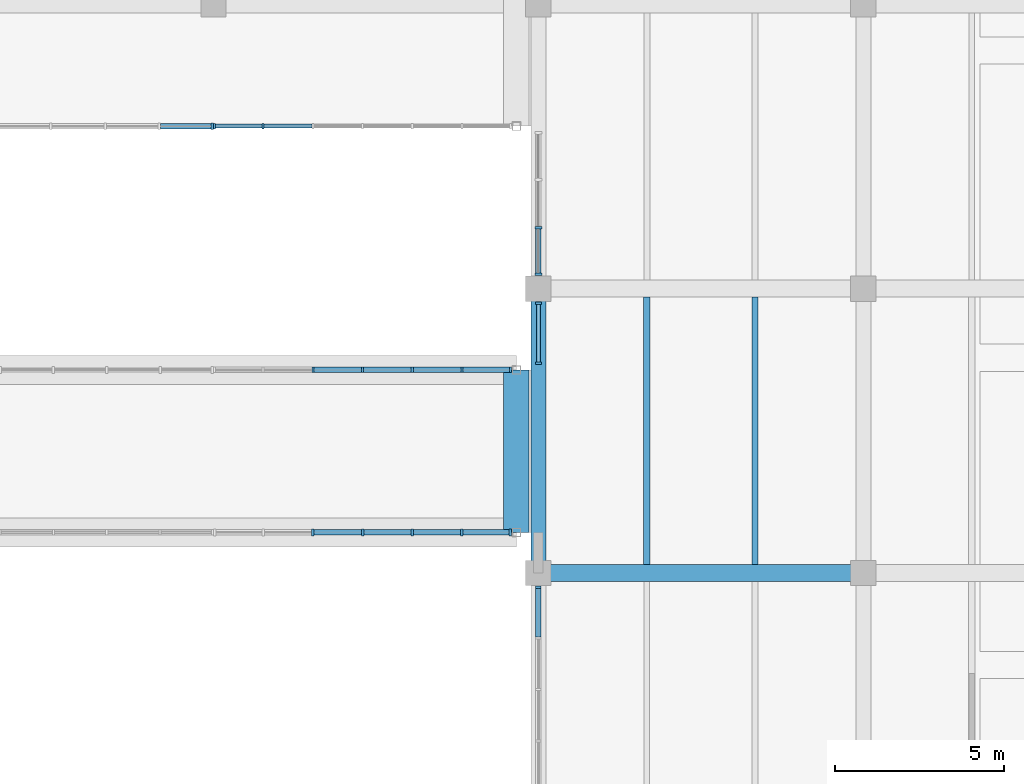
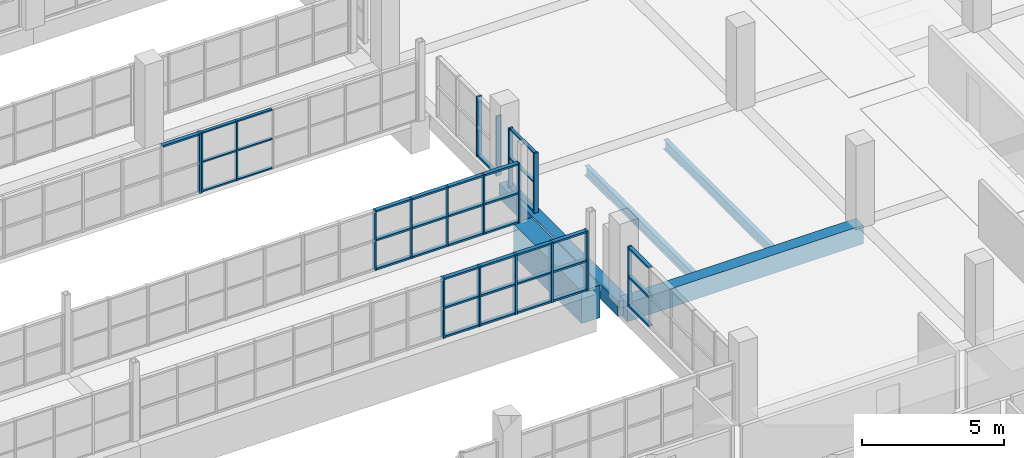
# One storey, part 64 of 147: 56 members, 5 beams, 7 elements without a shape of their own.
"""IFC4 building model written with IfcOpenShell, lengths in metres."""

from ifc_helpers import new_model, si_unit, direction, frame, origin, origin_2d, place, context, subcontext, project, spatial, rectangle, i_section, extrude, material, material_profile, profile_set, type_object, element, aggregate, save


model = new_model("IFC4")

# Units and contexts
model_context = context("Model", 3, precision=1e-05, world=origin(), true_north=direction((0.0, 1.0)))
body_context = subcontext(model_context, "Body", "Model", "MODEL_VIEW")
ifc_project = project(units=[si_unit("LENGTHUNIT", "METRE"), si_unit("AREAUNIT", "SQUARE_METRE"), si_unit("VOLUMEUNIT", "CUBIC_METRE"), si_unit("PLANEANGLEUNIT", "RADIAN"), si_unit("MASSUNIT", "GRAM", prefix="KILO")], contexts=[model_context])

# Site, building, storey
site_placement = place(None, origin())
site = spatial("IfcSite", under=ifc_project, at=site_placement, CompositionType="ELEMENT")
building_placement = place(site_placement, origin())
building = spatial("IfcBuilding", under=site, at=building_placement, Name="Oolite Switchyard Hospital", CompositionType="ELEMENT")
storey_placement = place(building_placement, frame((0.0, 0.0, 9.89990234375)))
storey = spatial("IfcBuildingStorey", under=building, at=storey_placement, Name="L02", CompositionType="ELEMENT", Elevation=9.89990234375)

# Beams
ifc_material_1 = material(Name="Concrete C40/50", Category="concrete")
ifc_material_profile_1 = material_profile(ifc_material_1, rectangle(XDim=0.449951171875, YDim=0.64990234375, at=origin_2d()), Name="RCB450X650")
ifc_profile_set_1 = profile_set([ifc_material_profile_1], Name="Concrete C40/50")
beam_type_1 = type_object("IfcBeamType", Name="BM-RC450X650", PredefinedType="BEAM", material=ifc_profile_set_1)
beam_1_placement = place(storey_placement, frame((182.39990234375, 33.60009765625, -0.324951171875), z_axis=(0.0, 1.0, 0.0), x_axis=(-1.0, 0.0, 0.0)))
element("IfcBeam", 1, at=beam_1_placement, inside=storey, type_object=beam_type_1, Name="L02 Y-Girder 1470", PredefinedType="BEAM", context=body_context, shape_type="SweptSolid", body=[
    extrude(rectangle(XDim=0.449951171875, YDim=0.64990234375, at=origin_2d()), origin(), (0.0, 0.0, 1.0), 8.39990234375),
])
ifc_material_profile_2 = material_profile(ifc_material_1, rectangle(XDim=0.5, YDim=0.800048828125, at=origin_2d()), Name="RCB500X800")
ifc_profile_set_2 = profile_set([ifc_material_profile_2], Name="Concrete C40/50")
beam_type_2 = type_object("IfcBeamType", Name="BM-RC500X800", PredefinedType="BEAM", material=ifc_profile_set_2)
beam_2_placement = place(storey_placement, frame((182.39990234375, 33.60009765625, -0.39990234375), z_axis=(1.0, 0.0, 0.0), x_axis=(0.0, 1.0, 0.0)))
element("IfcBeam", 2, at=beam_2_placement, inside=storey, type_object=beam_type_2, Name="L02 X-Girder 1043", PredefinedType="BEAM", context=body_context, shape_type="SweptSolid", body=[
    extrude(rectangle(XDim=0.5, YDim=0.800048828125, at=origin_2d()), origin(), (0.0, 0.0, 1.0), 9.60009765625),
])
ifc_material_profile_3 = material_profile(ifc_material_1, rectangle(XDim=0.75, YDim=1.39990234375, at=origin_2d()), Name="RCT750X1400")
ifc_profile_set_3 = profile_set([ifc_material_profile_3], Name="Concrete C40/50")
beam_type_3 = type_object("IfcBeamType", Name="BM-TR750X1400", PredefinedType="BEAM", material=ifc_profile_set_3)
beam_3_placement = place(storey_placement, frame((181.75, 34.800048828125, -0.699951171875), z_axis=(0.0, 1.0, 0.0), x_axis=(-1.0, 0.0, 0.0)))
element("IfcBeam", 3, at=beam_3_placement, inside=storey, type_object=beam_type_3, Name="L02 Y-Girder 1465", PredefinedType="BEAM", context=body_context, shape_type="SweptSolid", body=[
    extrude(rectangle(XDim=0.75, YDim=1.39990234375, at=origin_2d()), origin(), (0.0, 0.0, 1.0), 4.800048828125),
])
ifc_material_2 = material(Name="Steel ASTM A992 Grade 50", Category="steel")
ifc_material_profile_4 = material_profile(ifc_material_2, i_section(OverallWidth=0.177978515625, OverallDepth=0.403076171875, WebThickness=0.008056640625, FlangeThickness=0.010986328125, at=origin_2d()), Name="W16X36")
ifc_profile_set_4 = profile_set([ifc_material_profile_4], Name="Steel ASTM A992 Grade 50")
beam_type_4 = type_object("IfcBeamType", Name="BM-W16X36", PredefinedType="JOIST", material=ifc_profile_set_4)
beam_4_placement = place(storey_placement, frame((188.800048828125, 33.85009765625, -0.4609375), z_axis=(0.0, 1.0, 0.0), x_axis=(-1.0, 0.0, 0.0)))
element("IfcBeam", 4, at=beam_4_placement, inside=storey, type_object=beam_type_4, Name="L02 Secondary Steel Joist 1873", PredefinedType="JOIST", context=body_context, shape_type="SweptSolid", body=[
    extrude(i_section(OverallWidth=0.177978515625, OverallDepth=0.403076171875, WebThickness=0.008056640625, FlangeThickness=0.010986328125, at=origin_2d()), origin(), (0.0, 0.0, 1.0), 7.89990234375),
])
ifc_material_profile_5 = material_profile(ifc_material_2, i_section(OverallWidth=0.179931640625, OverallDepth=0.4130859375, WebThickness=0.010009765625, FlangeThickness=0.01611328125, at=origin_2d()), Name="W16X50")
ifc_profile_set_5 = profile_set([ifc_material_profile_5], Name="Steel ASTM A992 Grade 50")
beam_type_5 = type_object("IfcBeamType", Name="BM-W16X50", PredefinedType="JOIST", material=ifc_profile_set_5)
beam_5_placement = place(storey_placement, frame((185.60009765625, 33.85009765625, -0.4658203125), z_axis=(0.0, 1.0, 0.0), x_axis=(-1.0, 0.0, 0.0)))
element("IfcBeam", 5, at=beam_5_placement, inside=storey, type_object=beam_type_5, Name="L02 Secondary Steel Joist 1872", PredefinedType="JOIST", context=body_context, shape_type="SweptSolid", body=[
    extrude(i_section(OverallWidth=0.179931640625, OverallDepth=0.4130859375, WebThickness=0.010009765625, FlangeThickness=0.01611328125, at=origin_2d()), origin(), (0.0, 0.0, 1.0), 7.89990234375),
])

# Curtain wall, members
ifc_material_3 = material(Name="Thermally broken aluminum frame with laminated impact glazing", Category="aluminium")
curtain_wall_type_1 = type_object("IfcCurtainWallType", Name="CW-BRG-96X38", PredefinedType="USERDEFINED", material=ifc_material_3)
curtain_wall_1_placement = place(storey_placement, origin())
curtain_wall_1 = element("IfcCurtainWall", 6, at=curtain_wall_1_placement, inside=storey, type_object=curtain_wall_type_1, Name="L02 Unitised Curtain Wall 235", ObjectType="UNITISED", PredefinedType="USERDEFINED")
ifc_material_4 = material(Name="Aluminium 6063-T6", Category="aluminium")
ifc_material_profile_6 = material_profile(ifc_material_4, rectangle(XDim=0.159912109375, YDim=0.06005859375, at=origin_2d()), Name="CWM60X160")
ifc_profile_set_6 = profile_set([ifc_material_profile_6], Name="Aluminium 6063-T6")
member_type_1 = type_object("IfcMemberType", Name="CW-MUL-180", PredefinedType="MULLION", material=ifc_profile_set_6)
member_1_placement = place(storey_placement, frame((175.736083984375, 39.60009765625, 0.0), z_axis=(0.0, 0.0, 1.0), x_axis=(0.0, 1.0, 0.0)))
member_1 = element("IfcMember", 7, at=member_1_placement, type_object=member_type_1, Name="CW-12 mullion 3", PredefinedType="MULLION", context=body_context, shape_type="SweptSolid", body=[
    extrude(rectangle(XDim=0.159912109375, YDim=0.06005859375, at=origin_2d()), origin(), (0.0, 0.0, 1.0), 2.570068359375),
])
member_2_placement = place(storey_placement, frame((177.2041015625, 39.60009765625, 0.0), z_axis=(0.0, 0.0, 1.0), x_axis=(0.0, 1.0, 0.0)))
member_2 = element("IfcMember", 8, at=member_2_placement, type_object=member_type_1, Name="CW-12 mullion 4", PredefinedType="MULLION", context=body_context, shape_type="SweptSolid", body=[
    extrude(rectangle(XDim=0.159912109375, YDim=0.06005859375, at=origin_2d()), origin(), (0.0, 0.0, 1.0), 2.570068359375),
])
member_3_placement = place(storey_placement, frame((178.672119140625, 39.60009765625, 0.0), z_axis=(0.0, 0.0, 1.0), x_axis=(0.0, 1.0, 0.0)))
member_3 = element("IfcMember", 9, at=member_3_placement, type_object=member_type_1, Name="CW-12 mullion 5", PredefinedType="MULLION", context=body_context, shape_type="SweptSolid", body=[
    extrude(rectangle(XDim=0.159912109375, YDim=0.06005859375, at=origin_2d()), origin(), (0.0, 0.0, 1.0), 2.570068359375),
])
member_4_placement = place(storey_placement, frame((180.139892578125, 39.60009765625, 0.0), z_axis=(0.0, 0.0, 1.0), x_axis=(0.0, 1.0, 0.0)))
member_4 = element("IfcMember", 10, at=member_4_placement, type_object=member_type_1, Name="CW-12 mullion 6", PredefinedType="MULLION", context=body_context, shape_type="SweptSolid", body=[
    extrude(rectangle(XDim=0.159912109375, YDim=0.06005859375, at=origin_2d()), origin(), (0.0, 0.0, 1.0), 2.570068359375),
])
member_5_placement = place(storey_placement, frame((181.577880859375, 39.60009765625, 0.0), z_axis=(0.0, 0.0, 1.0), x_axis=(0.0, 1.0, 0.0)))
member_5 = element("IfcMember", 11, at=member_5_placement, type_object=member_type_1, Name="CW-12 mullion 7", PredefinedType="MULLION", context=body_context, shape_type="SweptSolid", body=[
    extrude(rectangle(XDim=0.159912109375, YDim=0.06005859375, at=origin_2d()), origin(), (0.0, 0.0, 1.0), 2.570068359375),
])

curtain_wall_2_placement = place(storey_placement, origin())
curtain_wall_2 = element("IfcCurtainWall", 12, at=curtain_wall_2_placement, inside=storey, type_object=curtain_wall_type_1, Name="L02 Unitised Curtain Wall 238", ObjectType="UNITISED", PredefinedType="USERDEFINED")
member_6_placement = place(storey_placement, frame((174.26806640625, 46.800048828125, 0.0), z_axis=(0.0, 0.0, 1.0), x_axis=(0.0, -1.0, 0.0)))
member_6 = element("IfcMember", 13, at=member_6_placement, type_object=member_type_1, Name="CW-12 mullion 6", PredefinedType="MULLION", context=body_context, shape_type="SweptSolid", body=[
    extrude(rectangle(XDim=0.159912109375, YDim=0.06005859375, at=origin_2d()), origin(), (0.0, 0.0, 1.0), 2.570068359375),
])
member_7_placement = place(storey_placement, frame((172.830078125, 46.800048828125, 0.0), z_axis=(0.0, 0.0, 1.0), x_axis=(0.0, -1.0, 0.0)))
member_7 = element("IfcMember", 14, at=member_7_placement, type_object=member_type_1, Name="CW-12 mullion 7", PredefinedType="MULLION", context=body_context, shape_type="SweptSolid", body=[
    extrude(rectangle(XDim=0.159912109375, YDim=0.06005859375, at=origin_2d()), origin(), (0.0, 0.0, 1.0), 2.570068359375),
])

# Curtain wall, member
curtain_wall_type_2 = type_object("IfcCurtainWallType", Name="CW-UNIT-84X36", PredefinedType="USERDEFINED", material=ifc_material_3)
curtain_wall_3_placement = place(storey_placement, origin())
curtain_wall_3 = element("IfcCurtainWall", 15, at=curtain_wall_3_placement, inside=storey, type_object=curtain_wall_type_2, Name="L02 Unitised Curtain Wall 307", ObjectType="UNITISED", PredefinedType="USERDEFINED")
member_8_placement = place(storey_placement, frame((182.39990234375, 33.179931640625, 0.0), z_axis=(0.0, 0.0, 1.0), x_axis=(-1.0, 0.0, 0.0)))
member_8 = element("IfcMember", 16, at=member_8_placement, type_object=member_type_1, Name="CW-08 mullion 6", PredefinedType="MULLION", context=body_context, shape_type="SweptSolid", body=[
    extrude(rectangle(XDim=0.159912109375, YDim=0.06005859375, at=origin_2d()), origin(), (0.0, 0.0, 1.0), 2.570068359375),
])

# Curtain wall, members
curtain_wall_4_placement = place(storey_placement, origin())
curtain_wall_4 = element("IfcCurtainWall", 17, at=curtain_wall_4_placement, inside=storey, type_object=curtain_wall_type_1, Name="L02 Unitised Curtain Wall 308", ObjectType="UNITISED", PredefinedType="USERDEFINED")
ifc_material_profile_7 = material_profile(ifc_material_4, rectangle(XDim=0.179931640625, YDim=0.070068359375, at=origin_2d()), Name="CWM70X180")
ifc_profile_set_7 = profile_set([ifc_material_profile_7], Name="Aluminium 6063-T6")
member_type_2 = type_object("IfcMemberType", Name="CW-MUL-220", PredefinedType="MULLION", material=ifc_profile_set_7)
member_9_placement = place(storey_placement, frame((182.39990234375, 39.794921875, 0.0), z_axis=(0.0, 0.0, 1.0), x_axis=(-1.0, 0.0, 0.0)))
member_9 = element("IfcMember", 18, at=member_9_placement, type_object=member_type_2, Name="CW-12 mullion 1", PredefinedType="MULLION", context=body_context, shape_type="SweptSolid", body=[
    extrude(rectangle(XDim=0.179931640625, YDim=0.070068359375, at=origin_2d()), origin(), (0.0, 0.0, 1.0), 2.570068359375),
])
member_10_placement = place(storey_placement, frame((182.39990234375, 41.574951171875, 0.0), z_axis=(0.0, 0.0, 1.0), x_axis=(-1.0, 0.0, 0.0)))
member_10 = element("IfcMember", 19, at=member_10_placement, type_object=member_type_2, Name="CW-12 mullion 2", PredefinedType="MULLION", context=body_context, shape_type="SweptSolid", body=[
    extrude(rectangle(XDim=0.179931640625, YDim=0.070068359375, at=origin_2d()), origin(), (0.0, 0.0, 1.0), 2.570068359375),
])

curtain_wall_5_placement = place(storey_placement, origin())
curtain_wall_5 = element("IfcCurtainWall", 20, at=curtain_wall_5_placement, inside=storey, type_object=curtain_wall_type_1, Name="L02 Unitised Curtain Wall 231", ObjectType="UNITISED", PredefinedType="USERDEFINED")
ifc_material_profile_8 = material_profile(ifc_material_4, rectangle(XDim=0.199951171875, YDim=0.074951171875, at=origin_2d()), Name="CWM75X200")
ifc_profile_set_8 = profile_set([ifc_material_profile_8], Name="Aluminium 6063-T6")
member_type_3 = type_object("IfcMemberType", Name="CW-MUL-260", PredefinedType="MULLION", material=ifc_profile_set_8)
member_11_placement = place(storey_placement, frame((181.570556640625, 34.800048828125, 0.0), z_axis=(0.0, 0.0, 1.0), x_axis=(0.0, -1.0, 0.0)))
member_11 = element("IfcMember", 21, at=member_11_placement, type_object=member_type_3, Name="CW-12 mullion 1", PredefinedType="MULLION", context=body_context, shape_type="SweptSolid", body=[
    extrude(rectangle(XDim=0.199951171875, YDim=0.074951171875, at=origin_2d()), origin(), (0.0, 0.0, 1.0), 2.570068359375),
])
member_12_placement = place(storey_placement, frame((180.139892578125, 34.800048828125, 0.0), z_axis=(0.0, 0.0, 1.0), x_axis=(0.0, -1.0, 0.0)))
member_12 = element("IfcMember", 22, at=member_12_placement, type_object=member_type_3, Name="CW-12 mullion 2", PredefinedType="MULLION", context=body_context, shape_type="SweptSolid", body=[
    extrude(rectangle(XDim=0.199951171875, YDim=0.074951171875, at=origin_2d()), origin(), (0.0, 0.0, 1.0), 2.570068359375),
])
member_13_placement = place(storey_placement, frame((178.672119140625, 34.800048828125, 0.0), z_axis=(0.0, 0.0, 1.0), x_axis=(0.0, -1.0, 0.0)))
member_13 = element("IfcMember", 23, at=member_13_placement, type_object=member_type_3, Name="CW-12 mullion 3", PredefinedType="MULLION", context=body_context, shape_type="SweptSolid", body=[
    extrude(rectangle(XDim=0.199951171875, YDim=0.074951171875, at=origin_2d()), origin(), (0.0, 0.0, 1.0), 2.570068359375),
])
member_14_placement = place(storey_placement, frame((177.2041015625, 34.800048828125, 0.0), z_axis=(0.0, 0.0, 1.0), x_axis=(0.0, -1.0, 0.0)))
member_14 = element("IfcMember", 24, at=member_14_placement, type_object=member_type_3, Name="CW-12 mullion 4", PredefinedType="MULLION", context=body_context, shape_type="SweptSolid", body=[
    extrude(rectangle(XDim=0.199951171875, YDim=0.074951171875, at=origin_2d()), origin(), (0.0, 0.0, 1.0), 2.570068359375),
])
member_15_placement = place(storey_placement, frame((175.736083984375, 34.800048828125, 0.0), z_axis=(0.0, 0.0, 1.0), x_axis=(0.0, -1.0, 0.0)))
member_15 = element("IfcMember", 25, at=member_15_placement, type_object=member_type_3, Name="CW-12 mullion 5", PredefinedType="MULLION", context=body_context, shape_type="SweptSolid", body=[
    extrude(rectangle(XDim=0.199951171875, YDim=0.074951171875, at=origin_2d()), origin(), (0.0, 0.0, 1.0), 2.570068359375),
])

# Curtain wall, member
curtain_wall_6_placement = place(storey_placement, origin())
curtain_wall_6 = element("IfcCurtainWall", 26, at=curtain_wall_6_placement, inside=storey, type_object=curtain_wall_type_1, Name="L02 Unitised Curtain Wall 237", ObjectType="UNITISED", PredefinedType="USERDEFINED")
member_16_placement = place(storey_placement, frame((172.762451171875, 46.800048828125, 0.0), z_axis=(0.0, 0.0, 1.0), x_axis=(0.0, -1.0, 0.0)))
member_16 = element("IfcMember", 27, at=member_16_placement, type_object=member_type_3, Name="CW-12 mullion 1", PredefinedType="MULLION", context=body_context, shape_type="SweptSolid", body=[
    extrude(rectangle(XDim=0.199951171875, YDim=0.074951171875, at=origin_2d()), origin(), (0.0, 0.0, 1.0), 2.570068359375),
])

# Curtain wall, members
curtain_wall_7_placement = place(storey_placement, origin())
curtain_wall_7 = element("IfcCurtainWall", 28, at=curtain_wall_7_placement, inside=storey, type_object=curtain_wall_type_1, Name="L02 Unitised Curtain Wall 309", ObjectType="UNITISED", PredefinedType="USERDEFINED")
member_17_placement = place(storey_placement, frame((182.39990234375, 42.427490234375, 0.0), z_axis=(0.0, 0.0, 1.0), x_axis=(-1.0, 0.0, 0.0)))
member_17 = element("IfcMember", 29, at=member_17_placement, type_object=member_type_3, Name="CW-12 mullion 1", PredefinedType="MULLION", context=body_context, shape_type="SweptSolid", body=[
    extrude(rectangle(XDim=0.199951171875, YDim=0.074951171875, at=origin_2d()), origin(), (0.0, 0.0, 1.0), 2.570068359375),
])
member_18_placement = place(storey_placement, frame((182.39990234375, 43.806640625, 0.0), z_axis=(0.0, 0.0, 1.0), x_axis=(-1.0, 0.0, 0.0)))
member_18 = element("IfcMember", 30, at=member_18_placement, type_object=member_type_3, Name="CW-12 mullion 2", PredefinedType="MULLION", context=body_context, shape_type="SweptSolid", body=[
    extrude(rectangle(XDim=0.199951171875, YDim=0.074951171875, at=origin_2d()), origin(), (0.0, 0.0, 1.0), 2.570068359375),
])

# Member
ifc_material_profile_9 = material_profile(ifc_material_4, rectangle(XDim=0.1201171875, YDim=0.06005859375, at=origin_2d()), Name="CWT60X120")
ifc_profile_set_9 = profile_set([ifc_material_profile_9], Name="Aluminium 6063-T6")
member_type_4 = type_object("IfcMemberType", Name="CW-TRN-150", PredefinedType="USERDEFINED", material=ifc_profile_set_9)
member_19_placement = place(storey_placement, frame((175.7060546875, 46.800048828125, 0.030029296875), z_axis=(-1.0, 0.0, 0.0), x_axis=(0.0, -1.0, 0.0)))
member_19 = element("IfcMember", 31, at=member_19_placement, type_object=member_type_4, Name="CW-12 transom 5.1", ObjectType="TRANSOM", PredefinedType="USERDEFINED", context=body_context, shape_type="SweptSolid", body=[
    extrude(rectangle(XDim=0.1201171875, YDim=0.06005859375, at=origin_2d()), origin(), (0.0, 0.0, 1.0), 1.407958984375),
])

member_20_placement = place(storey_placement, frame((175.7060546875, 46.800048828125, 1.28515625), z_axis=(-1.0, 0.0, 0.0), x_axis=(0.0, -1.0, 0.0)))
member_20 = element("IfcMember", 32, at=member_20_placement, type_object=member_type_4, Name="CW-12 transom 5.2", ObjectType="TRANSOM", PredefinedType="USERDEFINED", context=body_context, shape_type="SweptSolid", body=[
    extrude(rectangle(XDim=0.1201171875, YDim=0.06005859375, at=origin_2d()), origin(), (0.0, 0.0, 1.0), 1.407958984375),
])

member_21_placement = place(storey_placement, frame((175.7060546875, 46.800048828125, 2.5400390625), z_axis=(-1.0, 0.0, 0.0), x_axis=(0.0, -1.0, 0.0)))
member_21 = element("IfcMember", 33, at=member_21_placement, type_object=member_type_4, Name="CW-12 transom 5.3", ObjectType="TRANSOM", PredefinedType="USERDEFINED", context=body_context, shape_type="SweptSolid", body=[
    extrude(rectangle(XDim=0.1201171875, YDim=0.06005859375, at=origin_2d()), origin(), (0.0, 0.0, 1.0), 1.407958984375),
])

member_22_placement = place(storey_placement, frame((174.238037109375, 46.800048828125, 0.030029296875), z_axis=(-1.0, 0.0, 0.0), x_axis=(0.0, -1.0, 0.0)))
member_22 = element("IfcMember", 34, at=member_22_placement, type_object=member_type_4, Name="CW-12 transom 6.1", ObjectType="TRANSOM", PredefinedType="USERDEFINED", context=body_context, shape_type="SweptSolid", body=[
    extrude(rectangle(XDim=0.1201171875, YDim=0.06005859375, at=origin_2d()), origin(), (0.0, 0.0, 1.0), 1.3779296875),
])

member_23_placement = place(storey_placement, frame((174.238037109375, 46.800048828125, 1.28515625), z_axis=(-1.0, 0.0, 0.0), x_axis=(0.0, -1.0, 0.0)))
member_23 = element("IfcMember", 35, at=member_23_placement, type_object=member_type_4, Name="CW-12 transom 6.2", ObjectType="TRANSOM", PredefinedType="USERDEFINED", context=body_context, shape_type="SweptSolid", body=[
    extrude(rectangle(XDim=0.1201171875, YDim=0.06005859375, at=origin_2d()), origin(), (0.0, 0.0, 1.0), 1.3779296875),
])

member_24_placement = place(storey_placement, frame((174.238037109375, 46.800048828125, 2.5400390625), z_axis=(-1.0, 0.0, 0.0), x_axis=(0.0, -1.0, 0.0)))
member_24 = element("IfcMember", 36, at=member_24_placement, type_object=member_type_4, Name="CW-12 transom 6.3", ObjectType="TRANSOM", PredefinedType="USERDEFINED", context=body_context, shape_type="SweptSolid", body=[
    extrude(rectangle(XDim=0.1201171875, YDim=0.06005859375, at=origin_2d()), origin(), (0.0, 0.0, 1.0), 1.3779296875),
])

aggregate(curtain_wall_2, [member_6, member_7, member_19, member_20, member_21, member_22, member_23, member_24])

member_25_placement = place(storey_placement, frame((182.39990234375, 39.830078125, 0.030029296875), z_axis=(0.0, 1.0, 0.0), x_axis=(-1.0, 0.0, 0.0)))
member_25 = element("IfcMember", 37, at=member_25_placement, type_object=member_type_4, Name="CW-12 transom 1.1", ObjectType="TRANSOM", PredefinedType="USERDEFINED", context=body_context, shape_type="SweptSolid", body=[
    extrude(rectangle(XDim=0.1201171875, YDim=0.06005859375, at=origin_2d()), origin(), (0.0, 0.0, 1.0), 1.7099609375),
])

member_26_placement = place(storey_placement, frame((182.39990234375, 39.830078125, 1.28515625), z_axis=(0.0, 1.0, 0.0), x_axis=(-1.0, 0.0, 0.0)))
member_26 = element("IfcMember", 38, at=member_26_placement, type_object=member_type_4, Name="CW-12 transom 1.2", ObjectType="TRANSOM", PredefinedType="USERDEFINED", context=body_context, shape_type="SweptSolid", body=[
    extrude(rectangle(XDim=0.1201171875, YDim=0.06005859375, at=origin_2d()), origin(), (0.0, 0.0, 1.0), 1.7099609375),
])

member_27_placement = place(storey_placement, frame((182.39990234375, 39.830078125, 2.5400390625), z_axis=(0.0, 1.0, 0.0), x_axis=(-1.0, 0.0, 0.0)))
member_27 = element("IfcMember", 39, at=member_27_placement, type_object=member_type_4, Name="CW-12 transom 1.3", ObjectType="TRANSOM", PredefinedType="USERDEFINED", context=body_context, shape_type="SweptSolid", body=[
    extrude(rectangle(XDim=0.1201171875, YDim=0.06005859375, at=origin_2d()), origin(), (0.0, 0.0, 1.0), 1.7099609375),
])

aggregate(curtain_wall_4, [member_9, member_10, member_25, member_26, member_27])

ifc_material_profile_10 = material_profile(ifc_material_4, rectangle(XDim=0.159912109375, YDim=0.074951171875, at=origin_2d()), Name="CWT75X160")
ifc_profile_set_10 = profile_set([ifc_material_profile_10], Name="Aluminium 6063-T6")
member_type_5 = type_object("IfcMemberType", Name="CW-TRN-180", PredefinedType="USERDEFINED", material=ifc_profile_set_10)
member_28_placement = place(storey_placement, frame((181.532958984375, 34.800048828125, 0.03759765625), z_axis=(-1.0, 0.0, 0.0), x_axis=(0.0, -1.0, 0.0)))
member_28 = element("IfcMember", 40, at=member_28_placement, type_object=member_type_5, Name="CW-12 transom 1.1", ObjectType="TRANSOM", PredefinedType="USERDEFINED", context=body_context, shape_type="SweptSolid", body=[
    extrude(rectangle(XDim=0.159912109375, YDim=0.074951171875, at=origin_2d()), origin(), (0.0, 0.0, 1.0), 1.35546875),
])

member_29_placement = place(storey_placement, frame((181.532958984375, 34.800048828125, 1.28515625), z_axis=(-1.0, 0.0, 0.0), x_axis=(0.0, -1.0, 0.0)))
member_29 = element("IfcMember", 41, at=member_29_placement, type_object=member_type_5, Name="CW-12 transom 1.2", ObjectType="TRANSOM", PredefinedType="USERDEFINED", context=body_context, shape_type="SweptSolid", body=[
    extrude(rectangle(XDim=0.159912109375, YDim=0.074951171875, at=origin_2d()), origin(), (0.0, 0.0, 1.0), 1.35546875),
])

member_30_placement = place(storey_placement, frame((181.532958984375, 34.800048828125, 2.53271484375), z_axis=(-1.0, 0.0, 0.0), x_axis=(0.0, -1.0, 0.0)))
member_30 = element("IfcMember", 42, at=member_30_placement, type_object=member_type_5, Name="CW-12 transom 1.3", ObjectType="TRANSOM", PredefinedType="USERDEFINED", context=body_context, shape_type="SweptSolid", body=[
    extrude(rectangle(XDim=0.159912109375, YDim=0.074951171875, at=origin_2d()), origin(), (0.0, 0.0, 1.0), 1.35546875),
])

member_31_placement = place(storey_placement, frame((180.1025390625, 34.800048828125, 0.03759765625), z_axis=(-1.0, 0.0, 0.0), x_axis=(0.0, -1.0, 0.0)))
member_31 = element("IfcMember", 43, at=member_31_placement, type_object=member_type_5, Name="CW-12 transom 2.1", ObjectType="TRANSOM", PredefinedType="USERDEFINED", context=body_context, shape_type="SweptSolid", body=[
    extrude(rectangle(XDim=0.159912109375, YDim=0.074951171875, at=origin_2d()), origin(), (0.0, 0.0, 1.0), 1.39306640625),
])

member_32_placement = place(storey_placement, frame((180.1025390625, 34.800048828125, 1.28515625), z_axis=(-1.0, 0.0, 0.0), x_axis=(0.0, -1.0, 0.0)))
member_32 = element("IfcMember", 44, at=member_32_placement, type_object=member_type_5, Name="CW-12 transom 2.2", ObjectType="TRANSOM", PredefinedType="USERDEFINED", context=body_context, shape_type="SweptSolid", body=[
    extrude(rectangle(XDim=0.159912109375, YDim=0.074951171875, at=origin_2d()), origin(), (0.0, 0.0, 1.0), 1.39306640625),
])

member_33_placement = place(storey_placement, frame((180.1025390625, 34.800048828125, 2.53271484375), z_axis=(-1.0, 0.0, 0.0), x_axis=(0.0, -1.0, 0.0)))
member_33 = element("IfcMember", 45, at=member_33_placement, type_object=member_type_5, Name="CW-12 transom 2.3", ObjectType="TRANSOM", PredefinedType="USERDEFINED", context=body_context, shape_type="SweptSolid", body=[
    extrude(rectangle(XDim=0.159912109375, YDim=0.074951171875, at=origin_2d()), origin(), (0.0, 0.0, 1.0), 1.39306640625),
])

member_34_placement = place(storey_placement, frame((178.634521484375, 34.800048828125, 0.03759765625), z_axis=(-1.0, 0.0, 0.0), x_axis=(0.0, -1.0, 0.0)))
member_34 = element("IfcMember", 46, at=member_34_placement, type_object=member_type_5, Name="CW-12 transom 3.1", ObjectType="TRANSOM", PredefinedType="USERDEFINED", context=body_context, shape_type="SweptSolid", body=[
    extrude(rectangle(XDim=0.159912109375, YDim=0.074951171875, at=origin_2d()), origin(), (0.0, 0.0, 1.0), 1.39306640625),
])

member_35_placement = place(storey_placement, frame((178.634521484375, 34.800048828125, 1.28515625), z_axis=(-1.0, 0.0, 0.0), x_axis=(0.0, -1.0, 0.0)))
member_35 = element("IfcMember", 47, at=member_35_placement, type_object=member_type_5, Name="CW-12 transom 3.2", ObjectType="TRANSOM", PredefinedType="USERDEFINED", context=body_context, shape_type="SweptSolid", body=[
    extrude(rectangle(XDim=0.159912109375, YDim=0.074951171875, at=origin_2d()), origin(), (0.0, 0.0, 1.0), 1.39306640625),
])

member_36_placement = place(storey_placement, frame((178.634521484375, 34.800048828125, 2.53271484375), z_axis=(-1.0, 0.0, 0.0), x_axis=(0.0, -1.0, 0.0)))
member_36 = element("IfcMember", 48, at=member_36_placement, type_object=member_type_5, Name="CW-12 transom 3.3", ObjectType="TRANSOM", PredefinedType="USERDEFINED", context=body_context, shape_type="SweptSolid", body=[
    extrude(rectangle(XDim=0.159912109375, YDim=0.074951171875, at=origin_2d()), origin(), (0.0, 0.0, 1.0), 1.39306640625),
])

member_37_placement = place(storey_placement, frame((177.16650390625, 34.800048828125, 0.03759765625), z_axis=(-1.0, 0.0, 0.0), x_axis=(0.0, -1.0, 0.0)))
member_37 = element("IfcMember", 49, at=member_37_placement, type_object=member_type_5, Name="CW-12 transom 4.1", ObjectType="TRANSOM", PredefinedType="USERDEFINED", context=body_context, shape_type="SweptSolid", body=[
    extrude(rectangle(XDim=0.159912109375, YDim=0.074951171875, at=origin_2d()), origin(), (0.0, 0.0, 1.0), 1.39306640625),
])

member_38_placement = place(storey_placement, frame((177.16650390625, 34.800048828125, 1.28515625), z_axis=(-1.0, 0.0, 0.0), x_axis=(0.0, -1.0, 0.0)))
member_38 = element("IfcMember", 50, at=member_38_placement, type_object=member_type_5, Name="CW-12 transom 4.2", ObjectType="TRANSOM", PredefinedType="USERDEFINED", context=body_context, shape_type="SweptSolid", body=[
    extrude(rectangle(XDim=0.159912109375, YDim=0.074951171875, at=origin_2d()), origin(), (0.0, 0.0, 1.0), 1.39306640625),
])

member_39_placement = place(storey_placement, frame((177.16650390625, 34.800048828125, 2.53271484375), z_axis=(-1.0, 0.0, 0.0), x_axis=(0.0, -1.0, 0.0)))
member_39 = element("IfcMember", 51, at=member_39_placement, type_object=member_type_5, Name="CW-12 transom 4.3", ObjectType="TRANSOM", PredefinedType="USERDEFINED", context=body_context, shape_type="SweptSolid", body=[
    extrude(rectangle(XDim=0.159912109375, YDim=0.074951171875, at=origin_2d()), origin(), (0.0, 0.0, 1.0), 1.39306640625),
])

aggregate(curtain_wall_5, [member_11, member_12, member_13, member_14, member_15, member_28, member_29, member_30, member_31, member_32, member_33, member_34, member_35, member_36, member_37, member_38, member_39])

member_40_placement = place(storey_placement, frame((175.76611328125, 39.60009765625, 0.03759765625), z_axis=(1.0, 0.0, 0.0), x_axis=(0.0, 1.0, 0.0)))
member_40 = element("IfcMember", 52, at=member_40_placement, type_object=member_type_5, Name="CW-12 transom 3.1", ObjectType="TRANSOM", PredefinedType="USERDEFINED", context=body_context, shape_type="SweptSolid", body=[
    extrude(rectangle(XDim=0.159912109375, YDim=0.074951171875, at=origin_2d()), origin(), (0.0, 0.0, 1.0), 1.407958984375),
])

member_41_placement = place(storey_placement, frame((175.76611328125, 39.60009765625, 1.28515625), z_axis=(1.0, 0.0, 0.0), x_axis=(0.0, 1.0, 0.0)))
member_41 = element("IfcMember", 53, at=member_41_placement, type_object=member_type_5, Name="CW-12 transom 3.2", ObjectType="TRANSOM", PredefinedType="USERDEFINED", context=body_context, shape_type="SweptSolid", body=[
    extrude(rectangle(XDim=0.159912109375, YDim=0.074951171875, at=origin_2d()), origin(), (0.0, 0.0, 1.0), 1.407958984375),
])

member_42_placement = place(storey_placement, frame((175.76611328125, 39.60009765625, 2.53271484375), z_axis=(1.0, 0.0, 0.0), x_axis=(0.0, 1.0, 0.0)))
member_42 = element("IfcMember", 54, at=member_42_placement, type_object=member_type_5, Name="CW-12 transom 3.3", ObjectType="TRANSOM", PredefinedType="USERDEFINED", context=body_context, shape_type="SweptSolid", body=[
    extrude(rectangle(XDim=0.159912109375, YDim=0.074951171875, at=origin_2d()), origin(), (0.0, 0.0, 1.0), 1.407958984375),
])

member_43_placement = place(storey_placement, frame((177.23388671875, 39.60009765625, 0.03759765625), z_axis=(1.0, 0.0, 0.0), x_axis=(0.0, 1.0, 0.0)))
member_43 = element("IfcMember", 55, at=member_43_placement, type_object=member_type_5, Name="CW-12 transom 4.1", ObjectType="TRANSOM", PredefinedType="USERDEFINED", context=body_context, shape_type="SweptSolid", body=[
    extrude(rectangle(XDim=0.159912109375, YDim=0.074951171875, at=origin_2d()), origin(), (0.0, 0.0, 1.0), 1.408203125),
])

member_44_placement = place(storey_placement, frame((177.23388671875, 39.60009765625, 1.28515625), z_axis=(1.0, 0.0, 0.0), x_axis=(0.0, 1.0, 0.0)))
member_44 = element("IfcMember", 56, at=member_44_placement, type_object=member_type_5, Name="CW-12 transom 4.2", ObjectType="TRANSOM", PredefinedType="USERDEFINED", context=body_context, shape_type="SweptSolid", body=[
    extrude(rectangle(XDim=0.159912109375, YDim=0.074951171875, at=origin_2d()), origin(), (0.0, 0.0, 1.0), 1.408203125),
])

member_45_placement = place(storey_placement, frame((177.23388671875, 39.60009765625, 2.53271484375), z_axis=(1.0, 0.0, 0.0), x_axis=(0.0, 1.0, 0.0)))
member_45 = element("IfcMember", 57, at=member_45_placement, type_object=member_type_5, Name="CW-12 transom 4.3", ObjectType="TRANSOM", PredefinedType="USERDEFINED", context=body_context, shape_type="SweptSolid", body=[
    extrude(rectangle(XDim=0.159912109375, YDim=0.074951171875, at=origin_2d()), origin(), (0.0, 0.0, 1.0), 1.408203125),
])

member_46_placement = place(storey_placement, frame((178.701904296875, 39.60009765625, 0.03759765625), z_axis=(1.0, 0.0, 0.0), x_axis=(0.0, 1.0, 0.0)))
member_46 = element("IfcMember", 58, at=member_46_placement, type_object=member_type_5, Name="CW-12 transom 5.1", ObjectType="TRANSOM", PredefinedType="USERDEFINED", context=body_context, shape_type="SweptSolid", body=[
    extrude(rectangle(XDim=0.159912109375, YDim=0.074951171875, at=origin_2d()), origin(), (0.0, 0.0, 1.0), 1.408203125),
])

member_47_placement = place(storey_placement, frame((178.701904296875, 39.60009765625, 1.28515625), z_axis=(1.0, 0.0, 0.0), x_axis=(0.0, 1.0, 0.0)))
member_47 = element("IfcMember", 59, at=member_47_placement, type_object=member_type_5, Name="CW-12 transom 5.2", ObjectType="TRANSOM", PredefinedType="USERDEFINED", context=body_context, shape_type="SweptSolid", body=[
    extrude(rectangle(XDim=0.159912109375, YDim=0.074951171875, at=origin_2d()), origin(), (0.0, 0.0, 1.0), 1.408203125),
])

member_48_placement = place(storey_placement, frame((178.701904296875, 39.60009765625, 2.53271484375), z_axis=(1.0, 0.0, 0.0), x_axis=(0.0, 1.0, 0.0)))
member_48 = element("IfcMember", 60, at=member_48_placement, type_object=member_type_5, Name="CW-12 transom 5.3", ObjectType="TRANSOM", PredefinedType="USERDEFINED", context=body_context, shape_type="SweptSolid", body=[
    extrude(rectangle(XDim=0.159912109375, YDim=0.074951171875, at=origin_2d()), origin(), (0.0, 0.0, 1.0), 1.408203125),
])

member_49_placement = place(storey_placement, frame((180.169921875, 39.60009765625, 0.03759765625), z_axis=(1.0, 0.0, 0.0), x_axis=(0.0, 1.0, 0.0)))
member_49 = element("IfcMember", 61, at=member_49_placement, type_object=member_type_5, Name="CW-12 transom 6.1", ObjectType="TRANSOM", PredefinedType="USERDEFINED", context=body_context, shape_type="SweptSolid", body=[
    extrude(rectangle(XDim=0.159912109375, YDim=0.074951171875, at=origin_2d()), origin(), (0.0, 0.0, 1.0), 1.378173828125),
])

member_50_placement = place(storey_placement, frame((180.169921875, 39.60009765625, 1.28515625), z_axis=(1.0, 0.0, 0.0), x_axis=(0.0, 1.0, 0.0)))
member_50 = element("IfcMember", 62, at=member_50_placement, type_object=member_type_5, Name="CW-12 transom 6.2", ObjectType="TRANSOM", PredefinedType="USERDEFINED", context=body_context, shape_type="SweptSolid", body=[
    extrude(rectangle(XDim=0.159912109375, YDim=0.074951171875, at=origin_2d()), origin(), (0.0, 0.0, 1.0), 1.378173828125),
])

member_51_placement = place(storey_placement, frame((180.169921875, 39.60009765625, 2.53271484375), z_axis=(1.0, 0.0, 0.0), x_axis=(0.0, 1.0, 0.0)))
member_51 = element("IfcMember", 63, at=member_51_placement, type_object=member_type_5, Name="CW-12 transom 6.3", ObjectType="TRANSOM", PredefinedType="USERDEFINED", context=body_context, shape_type="SweptSolid", body=[
    extrude(rectangle(XDim=0.159912109375, YDim=0.074951171875, at=origin_2d()), origin(), (0.0, 0.0, 1.0), 1.378173828125),
])

aggregate(curtain_wall_1, [member_1, member_2, member_3, member_4, member_5, member_40, member_41, member_42, member_43, member_44, member_45, member_46, member_47, member_48, member_49, member_50, member_51])

member_52_placement = place(storey_placement, frame((172.72509765625, 46.800048828125, 2.53271484375), z_axis=(-1.0, 0.0, 0.0), x_axis=(0.0, -1.0, 0.0)))
member_52 = element("IfcMember", 64, at=member_52_placement, type_object=member_type_5, Name="CW-12 transom 1.3", ObjectType="TRANSOM", PredefinedType="USERDEFINED", context=body_context, shape_type="SweptSolid", body=[
    extrude(rectangle(XDim=0.159912109375, YDim=0.074951171875, at=origin_2d()), origin(), (0.0, 0.0, 1.0), 1.487548828125),
])

aggregate(curtain_wall_6, [member_16, member_52])

member_53_placement = place(storey_placement, frame((182.39990234375, 31.716064453125, 0.03759765625), z_axis=(0.0, 1.0, 0.0), x_axis=(-1.0, 0.0, 0.0)))
member_53 = element("IfcMember", 65, at=member_53_placement, type_object=member_type_5, Name="CW-08 transom 5.1", ObjectType="TRANSOM", PredefinedType="USERDEFINED", context=body_context, shape_type="SweptSolid", body=[
    extrude(rectangle(XDim=0.159912109375, YDim=0.074951171875, at=origin_2d()), origin(), (0.0, 0.0, 1.0), 1.433837890625),
])

member_54_placement = place(storey_placement, frame((182.39990234375, 31.716064453125, 1.28515625), z_axis=(0.0, 1.0, 0.0), x_axis=(-1.0, 0.0, 0.0)))
member_54 = element("IfcMember", 66, at=member_54_placement, type_object=member_type_5, Name="CW-08 transom 5.2", ObjectType="TRANSOM", PredefinedType="USERDEFINED", context=body_context, shape_type="SweptSolid", body=[
    extrude(rectangle(XDim=0.159912109375, YDim=0.074951171875, at=origin_2d()), origin(), (0.0, 0.0, 1.0), 1.433837890625),
])

member_55_placement = place(storey_placement, frame((182.39990234375, 31.716064453125, 2.53271484375), z_axis=(0.0, 1.0, 0.0), x_axis=(-1.0, 0.0, 0.0)))
member_55 = element("IfcMember", 67, at=member_55_placement, type_object=member_type_5, Name="CW-08 transom 5.3", ObjectType="TRANSOM", PredefinedType="USERDEFINED", context=body_context, shape_type="SweptSolid", body=[
    extrude(rectangle(XDim=0.159912109375, YDim=0.074951171875, at=origin_2d()), origin(), (0.0, 0.0, 1.0), 1.433837890625),
])

aggregate(curtain_wall_3, [member_8, member_53, member_54, member_55])

member_56_placement = place(storey_placement, frame((182.39990234375, 42.465087890625, 0.03759765625), z_axis=(0.0, 1.0, 0.0), x_axis=(-1.0, 0.0, 0.0)))
member_56 = element("IfcMember", 68, at=member_56_placement, type_object=member_type_5, Name="CW-12 transom 1.1", ObjectType="TRANSOM", PredefinedType="USERDEFINED", context=body_context, shape_type="SweptSolid", body=[
    extrude(rectangle(XDim=0.159912109375, YDim=0.074951171875, at=origin_2d()), origin(), (0.0, 0.0, 1.0), 1.30419921875),
])

aggregate(curtain_wall_7, [member_17, member_18, member_56])

save(model, "model.ifc")
